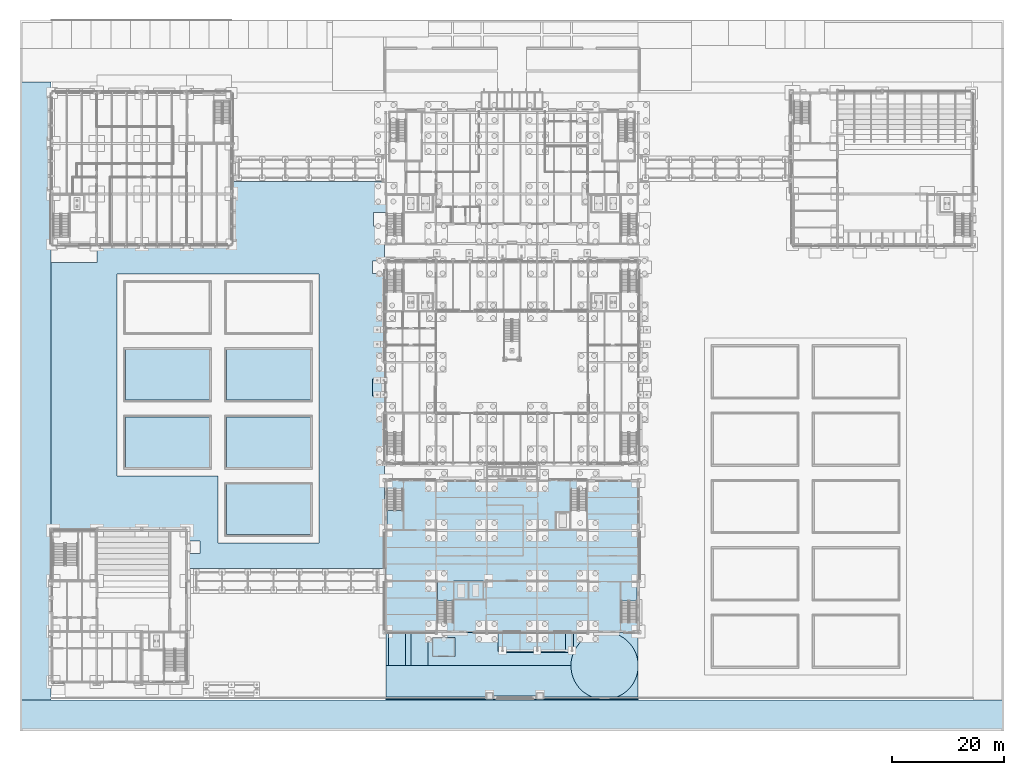
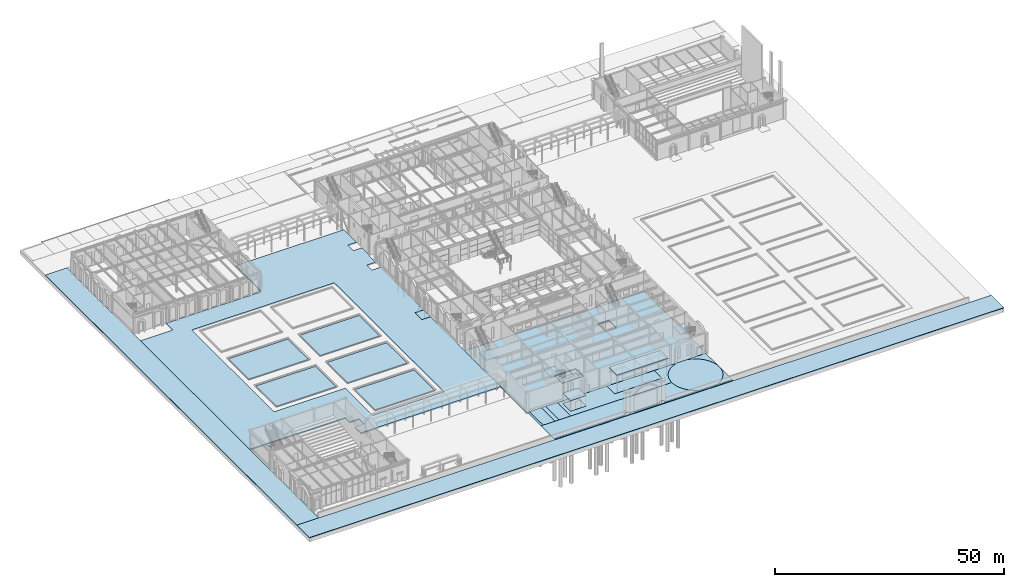
# One storey, part 59 of 126: 28 slabs, 3 elements without a shape of their own.
"""IFC4 building model written with IfcOpenShell, lengths in metres."""

from ifc_helpers import new_model, si_unit, direction, frame, origin, place, context, subcontext, project, spatial, polyline, outline, extrude, material, layer, layer_set, type_object, element, aggregate, save


model = new_model("IFC4")

# Units and contexts
model_context = context("Model", 3, precision=1e-05, world=origin(), true_north=direction((0.0, 1.0)))
body_context = subcontext(model_context, "Body", "Model", "MODEL_VIEW")
ifc_project = project(units=[si_unit("LENGTHUNIT", "METRE"), si_unit("AREAUNIT", "SQUARE_METRE"), si_unit("VOLUMEUNIT", "CUBIC_METRE"), si_unit("PLANEANGLEUNIT", "RADIAN"), si_unit("MASSUNIT", "GRAM", prefix="KILO")], contexts=[model_context])

# Site, building, storey
site_placement = place(None, origin())
site = spatial("IfcSite", under=ifc_project, at=site_placement, CompositionType="ELEMENT")
building_placement = place(site_placement, origin())
building = spatial("IfcBuilding", under=site, at=building_placement, Name="Kallimachos Central Library", CompositionType="ELEMENT")
storey_placement = place(building_placement, origin())
storey = spatial("IfcBuildingStorey", under=building, at=storey_placement, Name="L00", CompositionType="ELEMENT", Elevation=0.0)

# Slabs
ifc_material_1 = material(Name="Composite slab C30/37 on steel deck", Category="concrete")
ifc_layer_1 = layer(ifc_material_1, 0.199951171875)
ifc_layer_set_1 = layer_set([ifc_layer_1], Name="Canopy slab 200")
slab_type_1 = type_object("IfcSlabType", Name="Canopy slab 200", PredefinedType="ROOF", material=ifc_layer_set_1)
slab_1_placement = place(storey_placement, frame((0.0, 0.0, 4.699951171875)))
element("IfcSlab", 1, at=slab_1_placement, inside=storey, type_object=slab_type_1, Name="Loading bay canopy slab", PredefinedType="ROOF", context=body_context, shape_type="SweptSolid", body=[
    extrude(outline(polyline([(86.0, 14.300048828125), (99.0, 14.300048828125), (99.0, 17.800048828125), (86.0, 17.800048828125), (86.0, 14.300048828125)])), origin(), (0.0, 0.0, 1.0), 0.199951171875),
])
ifc_material_2 = material(Name="Concrete C30/37", Category="concrete")
ifc_layer_2 = layer(ifc_material_2, 0.14990234375)
ifc_layer_set_2 = layer_set([ifc_layer_2], Name="Drive paving 150")
slab_type_2 = type_object("IfcSlabType", Name="Drive paving 150", PredefinedType="BASESLAB", material=ifc_layer_set_2)
slab_2_placement = place(storey_placement, frame((0.0, 0.0, -0.14990234375)))
element("IfcSlab", 2, at=slab_2_placement, inside=storey, type_object=slab_type_2, Name="South Drive", PredefinedType="BASESLAB", context=body_context, shape_type="SweptSolid", body=[
    extrude(outline(polyline([(0.300048828125, 0.300048828125), (0.300048828125, 5.800048828125), (175.699951171875, 5.800048828125), (175.699951171875, 0.300048828125), (0.300048828125, 0.300048828125)])), origin(), (0.0, 0.0, 1.0), 0.14990234375),
])
slab_3_placement = place(storey_placement, frame((0.0, 0.0, -0.14990234375)))
element("IfcSlab", 3, at=slab_3_placement, inside=storey, type_object=slab_type_2, Name="West Access Lane", PredefinedType="BASESLAB", context=body_context, shape_type="SweptSolid", body=[
    extrude(outline(polyline([(5.800048828125, 5.800048828125), (0.300048828125, 5.800048828125), (0.300048828125, 115.949951171875), (5.800048828125, 115.949951171875), (5.800048828125, 5.800048828125)])), origin(), (0.0, 0.0, 1.0), 0.14990234375),
])
slab_4_placement = place(storey_placement, frame((0.0, 0.0, -0.14990234375)))
element("IfcSlab", 4, at=slab_4_placement, inside=storey, type_object=slab_type_2, Name="Service Yard Aisle A", PredefinedType="BASESLAB", context=body_context, shape_type="SweptSolid", body=[
    extrude(outline(polyline([(65.5, 5.800048828125), (65.5, 6.0), (103.4326171875, 6.0), (103.911865234375, 5.928955078125), (104.5, 5.89990234375), (105.088134765625, 5.928955078125), (105.5673828125, 6.0), (110.5, 6.0), (110.5, 5.800048828125), (65.5, 5.800048828125)])), origin(), (0.0, 0.0, 1.0), 0.14990234375),
])
slab_5_placement = place(storey_placement, frame((0.0, 0.0, -0.14990234375)))
element("IfcSlab", 5, at=slab_5_placement, inside=storey, type_object=slab_type_2, Name="Service Yard Aisle B", PredefinedType="BASESLAB", context=body_context, shape_type="SweptSolid", body=[
    extrude(outline(polyline([(106.796142578125, 6.356689453125), (107.328369140625, 6.6083984375), (107.83349609375, 6.9111328125), (108.306396484375, 7.261962890625), (108.74267578125, 7.657470703125), (109.13818359375, 8.09375), (109.48876953125, 8.566650390625), (109.79150390625, 9.071533203125), (110.043212890625, 9.60400390625), (110.24169921875, 10.158203125), (110.384765625, 10.7294921875), (110.47119140625, 11.31201171875), (110.482421875, 11.542724609375), (110.5, 11.54248046875), (110.5, 6.300048828125), (106.646240234375, 6.300048828125), (106.645751953125, 6.302978515625), (106.796142578125, 6.356689453125)])), origin(), (0.0, 0.0, 1.0), 0.14990234375),
])
slab_6_placement = place(storey_placement, frame((0.0, 0.0, -0.14990234375)))
element("IfcSlab", 6, at=slab_6_placement, inside=storey, type_object=slab_type_2, Name="Service Yard Aisle C", PredefinedType="BASESLAB", context=body_context, shape_type="SweptSolid", body=[
    extrude(outline(polyline([(65.5, 11.89990234375), (98.5, 11.89990234375), (98.52880859375, 11.31201171875), (98.615234375, 10.7294921875), (98.75830078125, 10.158203125), (98.956787109375, 9.60400390625), (99.20849609375, 9.071533203125), (99.51123046875, 8.566650390625), (99.86181640625, 8.09375), (100.25732421875, 7.657470703125), (100.693603515625, 7.261962890625), (101.16650390625, 6.9111328125), (101.671630859375, 6.6083984375), (102.203857421875, 6.356689453125), (102.354248046875, 6.302978515625), (102.353759765625, 6.300048828125), (93.5, 6.300048828125), (93.5, 7.0), (92.5, 7.0), (92.5, 6.5), (84.5, 6.5), (84.5, 7.0), (83.5, 7.0), (83.5, 6.300048828125), (65.5, 6.300048828125), (65.5, 11.89990234375)])), origin(), (0.0, 0.0, 1.0), 0.14990234375),
])
slab_7_placement = place(storey_placement, frame((0.0, 0.0, -0.14990234375)))
element("IfcSlab", 7, at=slab_7_placement, inside=storey, type_object=slab_type_2, Name="Service Yard Turning Head", PredefinedType="BASESLAB", context=body_context, shape_type="SweptSolid", body=[
    extrude(outline(polyline([(110.47119140625, 11.31201171875), (110.384765625, 10.7294921875), (110.24169921875, 10.158203125), (110.043212890625, 9.60400390625), (109.79150390625, 9.071533203125), (109.48876953125, 8.566650390625), (109.13818359375, 8.09375), (108.74267578125, 7.657470703125), (108.306396484375, 7.261962890625), (107.83349609375, 6.9111328125), (107.328369140625, 6.6083984375), (106.796142578125, 6.356689453125), (106.637451171875, 6.300048828125), (102.362548828125, 6.300048828125), (102.203857421875, 6.356689453125), (101.671630859375, 6.6083984375), (101.16650390625, 6.9111328125), (100.693603515625, 7.261962890625), (100.25732421875, 7.657470703125), (99.86181640625, 8.09375), (99.51123046875, 8.566650390625), (99.20849609375, 9.071533203125), (98.956787109375, 9.60400390625), (98.75830078125, 10.158203125), (98.615234375, 10.7294921875), (98.52880859375, 11.31201171875), (98.5, 11.89990234375), (98.52880859375, 12.488037109375), (98.615234375, 13.070556640625), (98.75830078125, 13.6416015625), (98.956787109375, 14.196044921875), (99.20849609375, 14.728271484375), (99.51123046875, 15.2333984375), (99.86181640625, 15.706298828125), (100.25732421875, 16.142578125), (100.693603515625, 16.5380859375), (101.16650390625, 16.888916015625), (101.671630859375, 17.19140625), (102.203857421875, 17.443359375), (102.75830078125, 17.6416015625), (103.329345703125, 17.78466796875), (103.4326171875, 17.800048828125), (105.5673828125, 17.800048828125), (105.670654296875, 17.78466796875), (106.24169921875, 17.6416015625), (106.796142578125, 17.443359375), (107.328369140625, 17.19140625), (107.83349609375, 16.888916015625), (108.306396484375, 16.5380859375), (108.74267578125, 16.142578125), (109.13818359375, 15.706298828125), (109.48876953125, 15.2333984375), (109.79150390625, 14.728271484375), (110.043212890625, 14.196044921875), (110.24169921875, 13.6416015625), (110.384765625, 13.070556640625), (110.47119140625, 12.488037109375), (110.5, 11.89990234375), (110.47119140625, 11.31201171875)])), origin(), (0.0, 0.0, 1.0), 0.14990234375),
])
ifc_material_3 = material(Name="Concrete C30/37", Category="concrete")
ifc_layer_3 = layer(ifc_material_3, 0.300048828125)
ifc_layer_set_3 = layer_set([ifc_layer_3], Name="Ground slab 300")
slab_type_3 = type_object("IfcSlabType", Name="Ground slab 300", PredefinedType="BASESLAB", material=ifc_layer_set_3)
slab_8_placement = place(storey_placement, frame((0.0, 0.0, -0.300048828125)))
element("IfcSlab", 8, at=slab_8_placement, inside=storey, type_object=slab_type_3, Name="V5-SLB-L00-003", PredefinedType="BASESLAB", context=body_context, shape_type="SweptSolid", body=[
    extrude(outline(polyline([(65.300048828125, 45.050048828125), (110.699951171875, 45.050048828125), (110.699951171875, 17.800048828125), (65.300048828125, 17.800048828125), (65.300048828125, 45.050048828125)]), holes=[polyline([(77.550048828125, 23.60009765625), (82.949951171875, 23.60009765625), (82.949951171875, 27.0), (77.550048828125, 27.0), (77.550048828125, 23.60009765625)]), polyline([(95.64990234375, 36.0), (98.449951171875, 36.0), (98.449951171875, 39.39990234375), (95.64990234375, 39.39990234375), (95.64990234375, 36.0)])]), origin(), (0.0, 0.0, 1.0), 0.300048828125),
])
ifc_material_4 = material(Name="Concrete C30/37", Category="concrete")
ifc_layer_4 = layer(ifc_material_4, 0.300048828125)
ifc_layer_set_4 = layer_set([ifc_layer_4], Name="Lift pit slab 300")
slab_type_4 = type_object("IfcSlabType", Name="Lift pit slab 300", PredefinedType="BASESLAB", material=ifc_layer_set_4)
slab_9_placement = place(storey_placement, frame((0.0, 0.0, -1.39990234375)))
element("IfcSlab", 9, at=slab_9_placement, inside=storey, type_object=slab_type_4, Name="V5-SLB-L00-001", PredefinedType="BASESLAB", context=body_context, shape_type="SweptSolid", body=[
    extrude(outline(polyline([(77.550048828125, 23.60009765625), (82.949951171875, 23.60009765625), (82.949951171875, 27.0), (77.550048828125, 27.0), (77.550048828125, 23.60009765625)])), origin(), (0.0, 0.0, 1.0), 0.2998046875),
])
ifc_material_5 = material(Name="Concrete C30/37", Category="concrete")
ifc_layer_5 = layer(ifc_material_5, 0.14990234375)
ifc_layer_set_5 = layer_set([ifc_layer_5], Name="Loading bay paving 150")
slab_type_5 = type_object("IfcSlabType", Name="Loading bay paving 150", PredefinedType="BASESLAB", material=ifc_layer_set_5)
slab_10_placement = place(storey_placement, frame((0.0, 0.0, -0.14990234375)))
element("IfcSlab", 10, at=slab_10_placement, inside=storey, type_object=slab_type_5, Name="Loading Bay", PredefinedType="BASESLAB", context=body_context, shape_type="SweptSolid", body=[
    extrude(outline(polyline([(97.5, 14.39990234375), (85.5, 14.39990234375), (85.5, 17.800048828125), (97.5, 17.800048828125), (97.5, 14.39990234375)])), origin(), (0.0, 0.0, 1.0), 0.14990234375),
])
ifc_material_6 = material(Name="Concrete C30/37", Category="concrete")
ifc_layer_6 = layer(ifc_material_6, 0.14990234375)
ifc_layer_set_6 = layer_set([ifc_layer_6], Name="Paving slab 150")
slab_type_6 = type_object("IfcSlabType", Name="Paving slab 150", PredefinedType="BASESLAB", material=ifc_layer_set_6)
slab_11_placement = place(storey_placement, frame((0.0, 0.0, -0.14990234375)))
element("IfcSlab", 11, at=slab_11_placement, inside=storey, type_object=slab_type_6, Name="Service Yard A", PredefinedType="BASESLAB", context=body_context, shape_type="SweptSolid", body=[
    extrude(outline(polyline([(105.640380859375, 17.792236328125), (105.641357421875, 17.800048828125), (110.5, 17.800048828125), (110.5, 12.257568359375), (110.482421875, 12.257080078125), (110.47119140625, 12.488037109375), (110.384765625, 13.070556640625), (110.24169921875, 13.6416015625), (110.043212890625, 14.196044921875), (109.79150390625, 14.728271484375), (109.48876953125, 15.2333984375), (109.13818359375, 15.706298828125), (108.74267578125, 16.142578125), (108.306396484375, 16.5380859375), (107.83349609375, 16.888916015625), (107.328369140625, 17.19140625), (106.796142578125, 17.443359375), (106.24169921875, 17.6416015625), (105.640380859375, 17.792236328125)])), origin(), (0.0, 0.0, 1.0), 0.14990234375),
])
slab_12_placement = place(storey_placement, frame((0.0, 0.0, -0.14990234375)))
element("IfcSlab", 12, at=slab_12_placement, inside=storey, type_object=slab_type_6, Name="Service Yard B", PredefinedType="BASESLAB", context=body_context, shape_type="SweptSolid", body=[
    extrude(outline(polyline([(73.0, 11.89990234375), (73.0, 17.800048828125), (85.5, 17.800048828125), (85.5, 14.39990234375), (97.5, 14.39990234375), (97.5, 17.800048828125), (103.358642578125, 17.800048828125), (103.359619140625, 17.792236328125), (102.75830078125, 17.6416015625), (102.203857421875, 17.443359375), (101.671630859375, 17.19140625), (101.16650390625, 16.888916015625), (100.693603515625, 16.5380859375), (100.25732421875, 16.142578125), (99.86181640625, 15.706298828125), (99.51123046875, 15.2333984375), (99.20849609375, 14.728515625), (98.956787109375, 14.196044921875), (98.75830078125, 13.6416015625), (98.615234375, 13.070556640625), (98.52880859375, 12.488037109375), (98.5, 11.89990234375), (73.0, 11.89990234375)]), holes=[polyline([(77.800048828125, 13.5), (77.800048828125, 16.89990234375), (73.800048828125, 16.89990234375), (73.800048828125, 13.5), (77.800048828125, 13.5)])]), origin(), (0.0, 0.0, 1.0), 0.14990234375),
])
slab_13_placement = place(storey_placement, frame((0.0, 0.0, -0.14990234375)))
element("IfcSlab", 13, at=slab_13_placement, inside=storey, type_object=slab_type_6, Name="Service Yard C", PredefinedType="BASESLAB", context=body_context, shape_type="SweptSolid", body=[
    extrude(outline(polyline([(70.0, 11.89990234375), (69.0, 11.89990234375), (69.0, 17.800048828125), (70.0, 17.800048828125), (70.0, 11.89990234375)])), origin(), (0.0, 0.0, 1.0), 0.14990234375),
])
slab_14_placement = place(storey_placement, frame((0.0, 0.0, -0.14990234375)))
element("IfcSlab", 14, at=slab_14_placement, inside=storey, type_object=slab_type_6, Name="Service Yard D", PredefinedType="BASESLAB", context=body_context, shape_type="SweptSolid", body=[
    extrude(outline(polyline([(65.5, 17.800048828125), (66.0, 17.800048828125), (66.0, 11.89990234375), (65.5, 11.89990234375), (65.5, 17.800048828125)])), origin(), (0.0, 0.0, 1.0), 0.14990234375),
])
slab_15_placement = place(storey_placement, frame((0.0, 0.0, -0.14990234375)))
element("IfcSlab", 15, at=slab_15_placement, inside=storey, type_object=slab_type_6, Name="Door Apron V4-DOR-L00-009", PredefinedType="BASESLAB", context=body_context, shape_type="SweptSolid", body=[
    extrude(outline(polyline([(63.1455078125, 63.0), (65.345458984375, 63.0), (65.345458984375, 60.0), (63.1455078125, 60.0), (63.1455078125, 63.0)])), origin(), (0.0, 0.0, 1.0), 0.14990234375),
])
ifc_material_7 = material(Name="Topsoil and planting")
ifc_layer_7 = layer(ifc_material_7, 0.300048828125)
ifc_layer_set_7 = layer_set([ifc_layer_7], Name="Planted ground 300")
slab_type_7 = type_object("IfcSlabType", Name="Planted ground 300", PredefinedType="BASESLAB", material=ifc_layer_set_7)
slab_16_placement = place(storey_placement, frame((0.0, 0.0, -0.300048828125)))
element("IfcSlab", 16, at=slab_16_placement, inside=storey, type_object=slab_type_7, Name="Garden Court Planting 2", PredefinedType="BASESLAB", context=body_context, shape_type="SweptSolid", body=[
    extrude(outline(polyline([(5.800048828125, 36.10009765625), (5.800048828125, 83.800048828125), (14.0, 83.800048828125), (14.0, 86.800048828125), (37.85009765625, 86.800048828125), (37.85009765625, 87.0), (38.0, 87.0), (38.0, 87.14990234375), (38.199951171875, 87.14990234375), (38.199951171875, 98.25), (65.5, 98.25), (65.5, 92.699951171875), (63.300048828125, 92.699951171875), (63.300048828125, 90.300048828125), (65.5, 90.300048828125), (65.5, 87.0), (65.300048828125, 87.0), (65.300048828125, 84.0), (63.146484375, 84.0), (63.146484375, 81.800048828125), (65.35009765625, 81.800048828125), (65.35009765625, 63.0), (63.1455078125, 63.0), (63.1455078125, 60.0), (65.35009765625, 60.0), (65.35009765625, 48.0), (65.300048828125, 48.0), (65.300048828125, 29.25), (30.0, 29.25), (30.0, 31.89990234375), (32.35009765625, 31.89990234375), (32.35009765625, 34.10009765625), (30.0, 34.10009765625), (30.0, 36.0), (6.0, 36.0), (6.0, 36.10009765625), (5.800048828125, 36.10009765625)]), holes=[polyline([(35.574951171875, 45.75), (35.574951171875, 33.75), (53.574951171875, 33.75), (53.574951171875, 81.75), (17.574951171875, 81.75), (17.574951171875, 45.75), (35.574951171875, 45.75)])]), origin(), (0.0, 0.0, 1.0), 0.300048828125),
])
slab_17_placement = place(storey_placement, frame((0.0, 0.0, -0.300048828125)))
element("IfcSlab", 17, at=slab_17_placement, inside=storey, type_object=slab_type_7, Name="Garden Court Planting 8", PredefinedType="BASESLAB", context=body_context, shape_type="SweptSolid", body=[
    extrude(outline(polyline([(34.074951171875, 59.25), (19.074951171875, 59.25), (19.074951171875, 68.25), (34.074951171875, 68.25), (34.074951171875, 59.25)])), origin(), (0.0, 0.0, 1.0), 0.300048828125),
])
slab_18_placement = place(storey_placement, frame((0.0, 0.0, -0.300048828125)))
element("IfcSlab", 18, at=slab_18_placement, inside=storey, type_object=slab_type_7, Name="Garden Court Planting 9", PredefinedType="BASESLAB", context=body_context, shape_type="SweptSolid", body=[
    extrude(outline(polyline([(34.074951171875, 47.25), (19.074951171875, 47.25), (19.074951171875, 56.25), (34.074951171875, 56.25), (34.074951171875, 47.25)])), origin(), (0.0, 0.0, 1.0), 0.300048828125),
])
slab_19_placement = place(storey_placement, frame((0.0, 0.0, -0.300048828125)))
element("IfcSlab", 19, at=slab_19_placement, inside=storey, type_object=slab_type_7, Name="Garden Court Planting 17", PredefinedType="BASESLAB", context=body_context, shape_type="SweptSolid", body=[
    extrude(outline(polyline([(52.074951171875, 59.25), (37.074951171875, 59.25), (37.074951171875, 68.25), (52.074951171875, 68.25), (52.074951171875, 59.25)])), origin(), (0.0, 0.0, 1.0), 0.300048828125),
])
slab_20_placement = place(storey_placement, frame((0.0, 0.0, -0.300048828125)))
element("IfcSlab", 20, at=slab_20_placement, inside=storey, type_object=slab_type_7, Name="Garden Court Planting 18", PredefinedType="BASESLAB", context=body_context, shape_type="SweptSolid", body=[
    extrude(outline(polyline([(52.074951171875, 47.25), (37.074951171875, 47.25), (37.074951171875, 56.25), (52.074951171875, 56.25), (52.074951171875, 47.25)])), origin(), (0.0, 0.0, 1.0), 0.300048828125),
])
slab_21_placement = place(storey_placement, frame((0.0, 0.0, -0.300048828125)))
element("IfcSlab", 21, at=slab_21_placement, inside=storey, type_object=slab_type_7, Name="Garden Court Planting 19", PredefinedType="BASESLAB", context=body_context, shape_type="SweptSolid", body=[
    extrude(outline(polyline([(52.074951171875, 44.25), (52.074951171875, 35.25), (37.074951171875, 35.25), (37.074951171875, 44.25), (52.074951171875, 44.25)])), origin(), (0.0, 0.0, 1.0), 0.300048828125),
])
ifc_material_8 = material(Name="Concrete C30/37", Category="concrete")
ifc_layer_8 = layer(ifc_material_8, 0.14990234375)
ifc_layer_set_8 = layer_set([ifc_layer_8], Name="Refuse store floor 150")
slab_type_8 = type_object("IfcSlabType", Name="Refuse store floor 150", PredefinedType="BASESLAB", material=ifc_layer_set_8)
slab_22_placement = place(storey_placement, frame((0.0, 0.0, -0.14990234375)))
element("IfcSlab", 22, at=slab_22_placement, inside=storey, type_object=slab_type_8, Name="Refuse Store floor", PredefinedType="BASESLAB", context=body_context, shape_type="SweptSolid", body=[
    extrude(outline(polyline([(73.800048828125, 13.5), (77.800048828125, 13.5), (77.800048828125, 16.89990234375), (73.800048828125, 16.89990234375), (73.800048828125, 13.5)])), origin(), (0.0, 0.0, 1.0), 0.14990234375),
])
ifc_material_9 = material(Name="Composite slab C30/37 on steel deck", Category="concrete")
ifc_layer_9 = layer(ifc_material_9, 0.14990234375)
ifc_layer_set_9 = layer_set([ifc_layer_9], Name="Refuse store roof 150")
slab_type_9 = type_object("IfcSlabType", Name="Refuse store roof 150", PredefinedType="ROOF", material=ifc_layer_set_9)
slab_23_placement = place(storey_placement, frame((0.0, 0.0, 2.699951171875)))
element("IfcSlab", 23, at=slab_23_placement, inside=storey, type_object=slab_type_9, Name="Refuse Store roof", PredefinedType="ROOF", context=body_context, shape_type="SweptSolid", body=[
    extrude(outline(polyline([(73.800048828125, 13.5), (77.800048828125, 13.5), (77.800048828125, 16.89990234375), (73.800048828125, 16.89990234375), (73.800048828125, 13.5)])), origin(), (0.0, 0.0, 1.0), 0.150146484375),
])
ifc_material_10 = material(Name="Concrete C30/37", Category="concrete")
ifc_layer_10 = layer(ifc_material_10, 0.14990234375)
ifc_layer_set_10 = layer_set([ifc_layer_10], Name="Service bay paving 150")
slab_type_10 = type_object("IfcSlabType", Name="Service bay paving 150", PredefinedType="BASESLAB", material=ifc_layer_set_10)
slab_24_placement = place(storey_placement, frame((0.0, 0.0, -0.14990234375)))
element("IfcSlab", 24, at=slab_24_placement, inside=storey, type_object=slab_type_10, Name="Service Bay 1", PredefinedType="BASESLAB", context=body_context, shape_type="SweptSolid", body=[
    extrude(outline(polyline([(69.0, 11.89990234375), (66.0, 11.89990234375), (66.0, 17.800048828125), (69.0, 17.800048828125), (69.0, 11.89990234375)])), origin(), (0.0, 0.0, 1.0), 0.14990234375),
])
slab_25_placement = place(storey_placement, frame((0.0, 0.0, -0.14990234375)))
element("IfcSlab", 25, at=slab_25_placement, inside=storey, type_object=slab_type_10, Name="Service Bay 2", PredefinedType="BASESLAB", context=body_context, shape_type="SweptSolid", body=[
    extrude(outline(polyline([(73.0, 11.89990234375), (70.0, 11.89990234375), (70.0, 17.800048828125), (73.0, 17.800048828125), (73.0, 11.89990234375)])), origin(), (0.0, 0.0, 1.0), 0.14990234375),
])

# Stair, slab
ifc_material_11 = material(Name="Concrete C30/37", Category="concrete")
stair_type = type_object("IfcStairType", Name="Concrete stair 1350", PredefinedType="HALF_TURN_STAIR", material=ifc_material_11)
stair_1_placement = place(storey_placement, origin())
stair_1 = element("IfcStair", 26, at=stair_1_placement, inside=storey, type_object=stair_type, Name="L00 stair ST13", PredefinedType="HALF_TURN_STAIR")
ifc_material_12 = material(Name="Concrete C30/37", Category="concrete")
ifc_layer_11 = layer(ifc_material_12, 0.199951171875)
ifc_layer_set_11 = layer_set([ifc_layer_11], Name="Stair landing slab 200")
slab_type_11 = type_object("IfcSlabType", Name="Stair landing slab 200", PredefinedType="LANDING", material=ifc_layer_set_11)
slab_26_placement = place(storey_placement, frame((0.0, 0.0, 2.5)))
slab_26 = element("IfcSlab", 27, at=slab_26_placement, type_object=slab_type_11, Name="ST13 landing 1", PredefinedType="LANDING", context=body_context, shape_type="SweptSolid", body=[
    extrude(outline(polyline([(77.550048828125, 23.469970703125), (77.550048828125, 26.800048828125), (74.699951171875, 26.800048828125), (74.699951171875, 23.469970703125), (77.550048828125, 23.469970703125)])), origin(), (0.0, 0.0, 1.0), 0.199951171875),
])
aggregate(stair_1, [slab_26])

stair_2_placement = place(storey_placement, origin())
stair_2 = element("IfcStair", 28, at=stair_2_placement, inside=storey, type_object=stair_type, Name="L00 stair ST15", PredefinedType="HALF_TURN_STAIR")
slab_27_placement = place(storey_placement, frame((0.0, 0.0, 2.5)))
slab_27 = element("IfcSlab", 29, at=slab_27_placement, type_object=slab_type_11, Name="ST15 landing 1", PredefinedType="LANDING", context=body_context, shape_type="SweptSolid", body=[
    extrude(outline(polyline([(65.699951171875, 39.530029296875), (65.699951171875, 36.199951171875), (68.550048828125, 36.199951171875), (68.550048828125, 39.530029296875), (65.699951171875, 39.530029296875)])), origin(), (0.0, 0.0, 1.0), 0.199951171875),
])
aggregate(stair_2, [slab_27])

stair_3_placement = place(storey_placement, origin())
stair_3 = element("IfcStair", 30, at=stair_3_placement, inside=storey, type_object=stair_type, Name="L00 stair ST16", PredefinedType="HALF_TURN_STAIR")
slab_28_placement = place(storey_placement, frame((0.0, 0.0, 2.5)))
slab_28 = element("IfcSlab", 31, at=slab_28_placement, type_object=slab_type_11, Name="ST16 landing 1", PredefinedType="LANDING", context=body_context, shape_type="SweptSolid", body=[
    extrude(outline(polyline([(110.300048828125, 23.469970703125), (110.300048828125, 26.800048828125), (107.449951171875, 26.800048828125), (107.449951171875, 23.469970703125), (110.300048828125, 23.469970703125)])), origin(), (0.0, 0.0, 1.0), 0.199951171875),
])
aggregate(stair_3, [slab_28])

save(model, "model.ifc")
